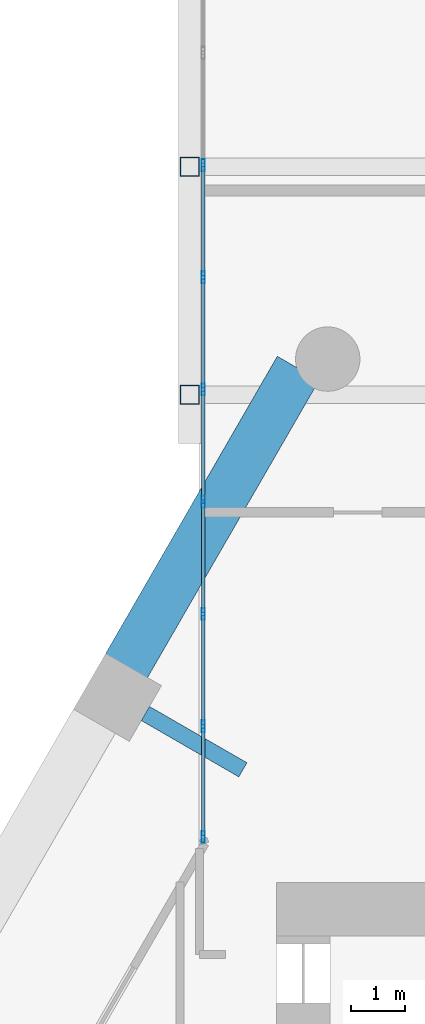
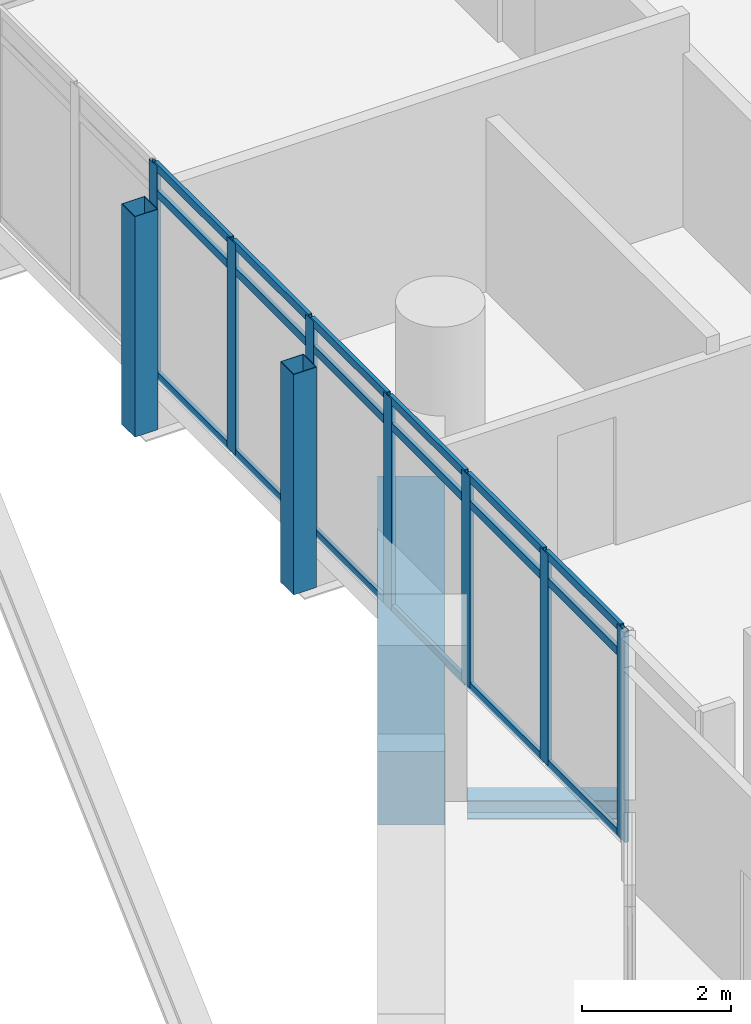
# One storey, part 16 of 37: 27 members, 2 beams, 1 element without a shape of its own.
"""IFC4 building model written with IfcOpenShell, lengths in metres."""

from ifc_helpers import new_model, si_unit, direction, frame, origin, origin_2d, place, context, subcontext, project, spatial, rectangle, hollow_rectangle, i_section, extrude, material, material_profile, profile_set, type_object, element, aggregate, save


model = new_model("IFC4")

# Units and contexts
model_context = context("Model", 3, precision=1e-05, world=origin(), true_north=direction((0.0, 1.0)))
body_context = subcontext(model_context, "Body", "Model", "MODEL_VIEW")
ifc_project = project(units=[si_unit("LENGTHUNIT", "METRE"), si_unit("AREAUNIT", "SQUARE_METRE"), si_unit("VOLUMEUNIT", "CUBIC_METRE"), si_unit("PLANEANGLEUNIT", "RADIAN"), si_unit("MASSUNIT", "GRAM", prefix="KILO")], contexts=[model_context])

# Site, building, storey
site_placement = place(None, origin())
site = spatial("IfcSite", under=ifc_project, at=site_placement, CompositionType="ELEMENT")
building_placement = place(site_placement, origin())
building = spatial("IfcBuilding", under=site, at=building_placement, Name="Ostrander Bayou Hotel Tower", CompositionType="ELEMENT")
storey_placement = place(building_placement, frame((0.0, 0.0, 93.0)))
storey = spatial("IfcBuildingStorey", under=building, at=storey_placement, Name="L23", CompositionType="ELEMENT", Elevation=93.0)

# Curtain wall, members
ifc_material_1 = material(Name="Aluminium and clear glass", Category="aluminium")
curtain_wall_type = type_object("IfcCurtainWallType", Name="CW-BAR glazed wall", PredefinedType="NOTDEFINED", material=ifc_material_1)
curtain_wall_placement = place(storey_placement, origin())
curtain_wall = element("IfcCurtainWall", 1, at=curtain_wall_placement, inside=storey, type_object=curtain_wall_type, Name="CW-BAR L23:SB2N:E", PredefinedType="NOTDEFINED")
ifc_material_2 = material(Name="Aluminium", Category="aluminium")
ifc_material_profile_1 = material_profile(ifc_material_2, hollow_rectangle(XDim=0.06005859375, YDim=0.219970703125, WallThickness=0.00390625, at=origin_2d()))
ifc_profile_set_1 = profile_set([ifc_material_profile_1], Name="Aluminium")
member_type_1 = type_object("IfcMemberType", Name="CW-BR mullion 60 x 220 mm", PredefinedType="MULLION", material=ifc_profile_set_1)
member_1_placement = place(storey_placement, frame((-13.3671875, 10.550048828125, 0.0), z_axis=(0.0, 0.0, 1.0), x_axis=(-1.0, 0.0, 0.0)))
member_1 = element("IfcMember", 2, at=member_1_placement, type_object=member_type_1, Name="CW-BAR mullion 1", PredefinedType="MULLION", context=body_context, shape_type="SweptSolid", body=[
    extrude(hollow_rectangle(XDim=0.06005859375, YDim=0.219970703125, WallThickness=0.00390625, at=origin_2d()), origin(), (0.0, 0.0, 1.0), 3.449951171875),
])
member_2_placement = place(storey_placement, frame((-13.3671875, 12.612548828125, 0.0), z_axis=(0.0, 0.0, 1.0), x_axis=(-1.0, 0.0, 0.0)))
member_2 = element("IfcMember", 3, at=member_2_placement, type_object=member_type_1, Name="CW-BAR mullion 2", PredefinedType="MULLION", context=body_context, shape_type="SweptSolid", body=[
    extrude(hollow_rectangle(XDim=0.06005859375, YDim=0.219970703125, WallThickness=0.00390625, at=origin_2d()), origin(), (0.0, 0.0, 1.0), 3.449951171875),
])
member_3_placement = place(storey_placement, frame((-13.3671875, 14.705078125, 0.0), z_axis=(0.0, 0.0, 1.0), x_axis=(-1.0, 0.0, 0.0)))
member_3 = element("IfcMember", 4, at=member_3_placement, type_object=member_type_1, Name="CW-BAR mullion 3", PredefinedType="MULLION", context=body_context, shape_type="SweptSolid", body=[
    extrude(hollow_rectangle(XDim=0.06005859375, YDim=0.219970703125, WallThickness=0.00390625, at=origin_2d()), origin(), (0.0, 0.0, 1.0), 3.449951171875),
])
member_4_placement = place(storey_placement, frame((-13.3671875, 16.797607421875, 0.0), z_axis=(0.0, 0.0, 1.0), x_axis=(-1.0, 0.0, 0.0)))
member_4 = element("IfcMember", 5, at=member_4_placement, type_object=member_type_1, Name="CW-BAR mullion 4", PredefinedType="MULLION", context=body_context, shape_type="SweptSolid", body=[
    extrude(hollow_rectangle(XDim=0.06005859375, YDim=0.219970703125, WallThickness=0.00390625, at=origin_2d()), origin(), (0.0, 0.0, 1.0), 3.449951171875),
])
member_5_placement = place(storey_placement, frame((-13.3671875, 18.89013671875, 0.0), z_axis=(0.0, 0.0, 1.0), x_axis=(-1.0, 0.0, 0.0)))
member_5 = element("IfcMember", 6, at=member_5_placement, type_object=member_type_1, Name="CW-BAR mullion 5", PredefinedType="MULLION", context=body_context, shape_type="SweptSolid", body=[
    extrude(hollow_rectangle(XDim=0.06005859375, YDim=0.219970703125, WallThickness=0.00390625, at=origin_2d()), origin(), (0.0, 0.0, 1.0), 3.449951171875),
])
member_6_placement = place(storey_placement, frame((-13.3671875, 20.982666015625, 0.0), z_axis=(0.0, 0.0, 1.0), x_axis=(-1.0, 0.0, 0.0)))
member_6 = element("IfcMember", 7, at=member_6_placement, type_object=member_type_1, Name="CW-BAR mullion 6", PredefinedType="MULLION", context=body_context, shape_type="SweptSolid", body=[
    extrude(hollow_rectangle(XDim=0.06005859375, YDim=0.219970703125, WallThickness=0.00390625, at=origin_2d()), origin(), (0.0, 0.0, 1.0), 3.449951171875),
])
member_7_placement = place(storey_placement, frame((-13.3671875, 23.0751953125, 0.0), z_axis=(0.0, 0.0, 1.0), x_axis=(-1.0, 0.0, 0.0)))
member_7 = element("IfcMember", 8, at=member_7_placement, type_object=member_type_1, Name="CW-BAR mullion 7", PredefinedType="MULLION", context=body_context, shape_type="SweptSolid", body=[
    extrude(hollow_rectangle(XDim=0.06005859375, YDim=0.219970703125, WallThickness=0.00390625, at=origin_2d()), origin(), (0.0, 0.0, 1.0), 3.449951171875),
])
ifc_material_3 = material(Name="Aluminium", Category="aluminium")
ifc_material_profile_2 = material_profile(ifc_material_3, hollow_rectangle(XDim=0.06005859375, YDim=0.1298828125, WallThickness=0.00390625, at=origin_2d()))
ifc_profile_set_2 = profile_set([ifc_material_profile_2], Name="Aluminium")
member_type_2 = type_object("IfcMemberType", Name="CW-BR transom 60 x 130 mm", PredefinedType="USERDEFINED", material=ifc_profile_set_2)
member_8_placement = place(storey_placement, frame((-13.3671875, 10.580078125, 0.030029296875), z_axis=(0.0, 1.0, 0.0), x_axis=(-1.0, 0.0, 0.0)))
member_8 = element("IfcMember", 9, at=member_8_placement, type_object=member_type_2, Name="CW-BAR transom 1.1", ObjectType="TRANSOM", PredefinedType="USERDEFINED", context=body_context, shape_type="SweptSolid", body=[
    extrude(hollow_rectangle(XDim=0.06005859375, YDim=0.1298828125, WallThickness=0.00390625, at=origin_2d()), origin(), (0.0, 0.0, 1.0), 2.00244140625),
])
member_9_placement = place(storey_placement, frame((-13.3671875, 10.580078125, 3.0), z_axis=(0.0, 1.0, 0.0), x_axis=(-1.0, 0.0, 0.0)))
member_9 = element("IfcMember", 10, at=member_9_placement, type_object=member_type_2, Name="CW-BAR transom 1.2", ObjectType="TRANSOM", PredefinedType="USERDEFINED", context=body_context, shape_type="SweptSolid", body=[
    extrude(hollow_rectangle(XDim=0.06005859375, YDim=0.1298828125, WallThickness=0.00390625, at=origin_2d()), origin(), (0.0, 0.0, 1.0), 2.00244140625),
])
member_10_placement = place(storey_placement, frame((-13.3671875, 10.580078125, 3.419921875), z_axis=(0.0, 1.0, 0.0), x_axis=(-1.0, 0.0, 0.0)))
member_10 = element("IfcMember", 11, at=member_10_placement, type_object=member_type_2, Name="CW-BAR transom 1.3", ObjectType="TRANSOM", PredefinedType="USERDEFINED", context=body_context, shape_type="SweptSolid", body=[
    extrude(hollow_rectangle(XDim=0.06005859375, YDim=0.1298828125, WallThickness=0.00390625, at=origin_2d()), origin(), (0.0, 0.0, 1.0), 2.00244140625),
])
member_11_placement = place(storey_placement, frame((-13.3671875, 12.642578125, 0.030029296875), z_axis=(0.0, 1.0, 0.0), x_axis=(-1.0, 0.0, 0.0)))
member_11 = element("IfcMember", 12, at=member_11_placement, type_object=member_type_2, Name="CW-BAR transom 2.1", ObjectType="TRANSOM", PredefinedType="USERDEFINED", context=body_context, shape_type="SweptSolid", body=[
    extrude(hollow_rectangle(XDim=0.06005859375, YDim=0.1298828125, WallThickness=0.00390625, at=origin_2d()), origin(), (0.0, 0.0, 1.0), 2.032470703125),
])
member_12_placement = place(storey_placement, frame((-13.3671875, 12.642578125, 3.0), z_axis=(0.0, 1.0, 0.0), x_axis=(-1.0, 0.0, 0.0)))
member_12 = element("IfcMember", 13, at=member_12_placement, type_object=member_type_2, Name="CW-BAR transom 2.2", ObjectType="TRANSOM", PredefinedType="USERDEFINED", context=body_context, shape_type="SweptSolid", body=[
    extrude(hollow_rectangle(XDim=0.06005859375, YDim=0.1298828125, WallThickness=0.00390625, at=origin_2d()), origin(), (0.0, 0.0, 1.0), 2.032470703125),
])
member_13_placement = place(storey_placement, frame((-13.3671875, 12.642578125, 3.419921875), z_axis=(0.0, 1.0, 0.0), x_axis=(-1.0, 0.0, 0.0)))
member_13 = element("IfcMember", 14, at=member_13_placement, type_object=member_type_2, Name="CW-BAR transom 2.3", ObjectType="TRANSOM", PredefinedType="USERDEFINED", context=body_context, shape_type="SweptSolid", body=[
    extrude(hollow_rectangle(XDim=0.06005859375, YDim=0.1298828125, WallThickness=0.00390625, at=origin_2d()), origin(), (0.0, 0.0, 1.0), 2.032470703125),
])
member_14_placement = place(storey_placement, frame((-13.3671875, 14.735107421875, 0.030029296875), z_axis=(0.0, 1.0, 0.0), x_axis=(-1.0, 0.0, 0.0)))
member_14 = element("IfcMember", 15, at=member_14_placement, type_object=member_type_2, Name="CW-BAR transom 3.1", ObjectType="TRANSOM", PredefinedType="USERDEFINED", context=body_context, shape_type="SweptSolid", body=[
    extrude(hollow_rectangle(XDim=0.06005859375, YDim=0.1298828125, WallThickness=0.00390625, at=origin_2d()), origin(), (0.0, 0.0, 1.0), 2.032470703125),
])
member_15_placement = place(storey_placement, frame((-13.3671875, 14.735107421875, 3.0), z_axis=(0.0, 1.0, 0.0), x_axis=(-1.0, 0.0, 0.0)))
member_15 = element("IfcMember", 16, at=member_15_placement, type_object=member_type_2, Name="CW-BAR transom 3.2", ObjectType="TRANSOM", PredefinedType="USERDEFINED", context=body_context, shape_type="SweptSolid", body=[
    extrude(hollow_rectangle(XDim=0.06005859375, YDim=0.1298828125, WallThickness=0.00390625, at=origin_2d()), origin(), (0.0, 0.0, 1.0), 2.032470703125),
])
member_16_placement = place(storey_placement, frame((-13.3671875, 14.735107421875, 3.419921875), z_axis=(0.0, 1.0, 0.0), x_axis=(-1.0, 0.0, 0.0)))
member_16 = element("IfcMember", 17, at=member_16_placement, type_object=member_type_2, Name="CW-BAR transom 3.3", ObjectType="TRANSOM", PredefinedType="USERDEFINED", context=body_context, shape_type="SweptSolid", body=[
    extrude(hollow_rectangle(XDim=0.06005859375, YDim=0.1298828125, WallThickness=0.00390625, at=origin_2d()), origin(), (0.0, 0.0, 1.0), 2.032470703125),
])
member_17_placement = place(storey_placement, frame((-13.3671875, 16.82763671875, 0.030029296875), z_axis=(0.0, 1.0, 0.0), x_axis=(-1.0, 0.0, 0.0)))
member_17 = element("IfcMember", 18, at=member_17_placement, type_object=member_type_2, Name="CW-BAR transom 4.1", ObjectType="TRANSOM", PredefinedType="USERDEFINED", context=body_context, shape_type="SweptSolid", body=[
    extrude(hollow_rectangle(XDim=0.06005859375, YDim=0.1298828125, WallThickness=0.00390625, at=origin_2d()), origin(), (0.0, 0.0, 1.0), 2.032470703125),
])
member_18_placement = place(storey_placement, frame((-13.3671875, 16.82763671875, 3.0), z_axis=(0.0, 1.0, 0.0), x_axis=(-1.0, 0.0, 0.0)))
member_18 = element("IfcMember", 19, at=member_18_placement, type_object=member_type_2, Name="CW-BAR transom 4.2", ObjectType="TRANSOM", PredefinedType="USERDEFINED", context=body_context, shape_type="SweptSolid", body=[
    extrude(hollow_rectangle(XDim=0.06005859375, YDim=0.1298828125, WallThickness=0.00390625, at=origin_2d()), origin(), (0.0, 0.0, 1.0), 2.032470703125),
])
member_19_placement = place(storey_placement, frame((-13.3671875, 16.82763671875, 3.419921875), z_axis=(0.0, 1.0, 0.0), x_axis=(-1.0, 0.0, 0.0)))
member_19 = element("IfcMember", 20, at=member_19_placement, type_object=member_type_2, Name="CW-BAR transom 4.3", ObjectType="TRANSOM", PredefinedType="USERDEFINED", context=body_context, shape_type="SweptSolid", body=[
    extrude(hollow_rectangle(XDim=0.06005859375, YDim=0.1298828125, WallThickness=0.00390625, at=origin_2d()), origin(), (0.0, 0.0, 1.0), 2.032470703125),
])
member_20_placement = place(storey_placement, frame((-13.3671875, 18.920166015625, 0.030029296875), z_axis=(0.0, 1.0, 0.0), x_axis=(-1.0, 0.0, 0.0)))
member_20 = element("IfcMember", 21, at=member_20_placement, type_object=member_type_2, Name="CW-BAR transom 5.1", ObjectType="TRANSOM", PredefinedType="USERDEFINED", context=body_context, shape_type="SweptSolid", body=[
    extrude(hollow_rectangle(XDim=0.06005859375, YDim=0.1298828125, WallThickness=0.00390625, at=origin_2d()), origin(), (0.0, 0.0, 1.0), 2.032470703125),
])
member_21_placement = place(storey_placement, frame((-13.3671875, 18.920166015625, 3.0), z_axis=(0.0, 1.0, 0.0), x_axis=(-1.0, 0.0, 0.0)))
member_21 = element("IfcMember", 22, at=member_21_placement, type_object=member_type_2, Name="CW-BAR transom 5.2", ObjectType="TRANSOM", PredefinedType="USERDEFINED", context=body_context, shape_type="SweptSolid", body=[
    extrude(hollow_rectangle(XDim=0.06005859375, YDim=0.1298828125, WallThickness=0.00390625, at=origin_2d()), origin(), (0.0, 0.0, 1.0), 2.032470703125),
])
member_22_placement = place(storey_placement, frame((-13.3671875, 18.920166015625, 3.419921875), z_axis=(0.0, 1.0, 0.0), x_axis=(-1.0, 0.0, 0.0)))
member_22 = element("IfcMember", 23, at=member_22_placement, type_object=member_type_2, Name="CW-BAR transom 5.3", ObjectType="TRANSOM", PredefinedType="USERDEFINED", context=body_context, shape_type="SweptSolid", body=[
    extrude(hollow_rectangle(XDim=0.06005859375, YDim=0.1298828125, WallThickness=0.00390625, at=origin_2d()), origin(), (0.0, 0.0, 1.0), 2.032470703125),
])
member_23_placement = place(storey_placement, frame((-13.3671875, 21.0126953125, 0.030029296875), z_axis=(0.0, 1.0, 0.0), x_axis=(-1.0, 0.0, 0.0)))
member_23 = element("IfcMember", 24, at=member_23_placement, type_object=member_type_2, Name="CW-BAR transom 6.1", ObjectType="TRANSOM", PredefinedType="USERDEFINED", context=body_context, shape_type="SweptSolid", body=[
    extrude(hollow_rectangle(XDim=0.06005859375, YDim=0.1298828125, WallThickness=0.00390625, at=origin_2d()), origin(), (0.0, 0.0, 1.0), 2.032470703125),
])
member_24_placement = place(storey_placement, frame((-13.3671875, 21.0126953125, 3.0), z_axis=(0.0, 1.0, 0.0), x_axis=(-1.0, 0.0, 0.0)))
member_24 = element("IfcMember", 25, at=member_24_placement, type_object=member_type_2, Name="CW-BAR transom 6.2", ObjectType="TRANSOM", PredefinedType="USERDEFINED", context=body_context, shape_type="SweptSolid", body=[
    extrude(hollow_rectangle(XDim=0.06005859375, YDim=0.1298828125, WallThickness=0.00390625, at=origin_2d()), origin(), (0.0, 0.0, 1.0), 2.032470703125),
])
member_25_placement = place(storey_placement, frame((-13.3671875, 21.0126953125, 3.419921875), z_axis=(0.0, 1.0, 0.0), x_axis=(-1.0, 0.0, 0.0)))
member_25 = element("IfcMember", 26, at=member_25_placement, type_object=member_type_2, Name="CW-BAR transom 6.3", ObjectType="TRANSOM", PredefinedType="USERDEFINED", context=body_context, shape_type="SweptSolid", body=[
    extrude(hollow_rectangle(XDim=0.06005859375, YDim=0.1298828125, WallThickness=0.00390625, at=origin_2d()), origin(), (0.0, 0.0, 1.0), 2.032470703125),
])
aggregate(curtain_wall, [member_1, member_2, member_3, member_4, member_5, member_6, member_7, member_8, member_9, member_10, member_11, member_12, member_13, member_14, member_15, member_16, member_17, member_18, member_19, member_20, member_21, member_22, member_23, member_24, member_25])

# Beams
ifc_material_4 = material(Name="Steel ASTM A992", Category="steel")
ifc_material_profile_3 = material_profile(ifc_material_4, i_section(OverallWidth=0.3046875, OverallDepth=0.307861328125, WebThickness=0.010009765625, FlangeThickness=0.015380859375, at=origin_2d()))
ifc_profile_set_3 = profile_set([ifc_material_profile_3], Name="Steel ASTM A992")
beam_type_1 = type_object("IfcBeamType", Name="LB1 loggia bracket W12x65", PredefinedType="BEAM", material=ifc_profile_set_3)
beam_1_placement = place(storey_placement, frame((-14.446044921875, 12.8515625, -0.453857421875), z_axis=(0.866038466041, -0.499977374825, 0.0), x_axis=(0.499977374825, 0.866038466041, 0.0)))
element("IfcBeam", 27, at=beam_1_placement, inside=storey, type_object=beam_type_1, Name="LB1 L23 NW1", PredefinedType="BEAM", context=body_context, shape_type="SweptSolid", body=[
    extrude(i_section(OverallWidth=0.3046875, OverallDepth=0.307861328125, WebThickness=0.010009765625, FlangeThickness=0.015380859375, at=origin_2d()), origin(), (0.0, 0.0, 1.0), 2.10009765625),
])
ifc_material_5 = material(Name="Concrete f'c 70 MPa", Category="concrete")
ifc_material_profile_4 = material_profile(ifc_material_5, rectangle(XDim=0.89990234375, YDim=1.199951171875, at=origin_2d()))
ifc_profile_set_4 = profile_set([ifc_material_profile_4], Name="Concrete f'c 70 MPa")
beam_type_2 = type_object("IfcBeamType", Name="SP2 spandrel beam 900 x 1200 mm f'c 70 MPa", PredefinedType="SPANDREL", material=ifc_profile_set_4)
beam_2_placement = place(storey_placement, frame((-11.5966796875, 19.286376953125, -0.60009765625), z_axis=(-0.50002823779, -0.866009100075, 0.0), x_axis=(0.866009100075, -0.50002823779, 0.0)))
element("IfcBeam", 28, at=beam_2_placement, inside=storey, type_object=beam_type_2, Name="SP2 L23 NW-1", PredefinedType="SPANDREL", context=body_context, shape_type="SweptSolid", body=[
    extrude(rectangle(XDim=0.89990234375, YDim=1.199951171875, at=origin_2d()), origin(), (0.0, 0.0, 1.0), 6.427490234375),
])

# Members
ifc_material_6 = material(Name="Steel ASTM A500 Gr C", Category="steel")
ifc_material_profile_5 = material_profile(ifc_material_6, hollow_rectangle(XDim=0.355712890625, YDim=0.355712890625, WallThickness=0.0087890625, at=origin_2d()))
ifc_profile_set_5 = profile_set([ifc_material_profile_5], Name="Steel ASTM A500 Gr C")
member_type_3 = type_object("IfcMemberType", Name="TH3 bar hanger HSS14x14x3/8", PredefinedType="POST", material=ifc_profile_set_5)
for number, where, z_axis, x_axis, name in (
    (29, (-13.6201171875, 23.0458984375, -0.771728515625), (0.0, 0.0, 1.0), (1.0, 0.0, 0.0), "TH3 SB2WA H3-1"),
    (30, (-13.6201171875, 18.79638671875, -0.771728515625), (0.0, 0.0, 1.0), (1.0, 0.0, 0.0), "TH3 SB2WA H4-1"),
):
    element("IfcMember", number, at=place(storey_placement, frame(where, z_axis=z_axis, x_axis=x_axis)), inside=storey, type_object=member_type_3, Name=name, PredefinedType="POST", context=body_context, shape_type="SweptSolid", body=[
        extrude(hollow_rectangle(XDim=0.355712890625, YDim=0.355712890625, WallThickness=0.0087890625, at=origin_2d()), origin(), (0.0, 0.0, 1.0), 3.599853515625),
    ])

save(model, "model.ifc")
